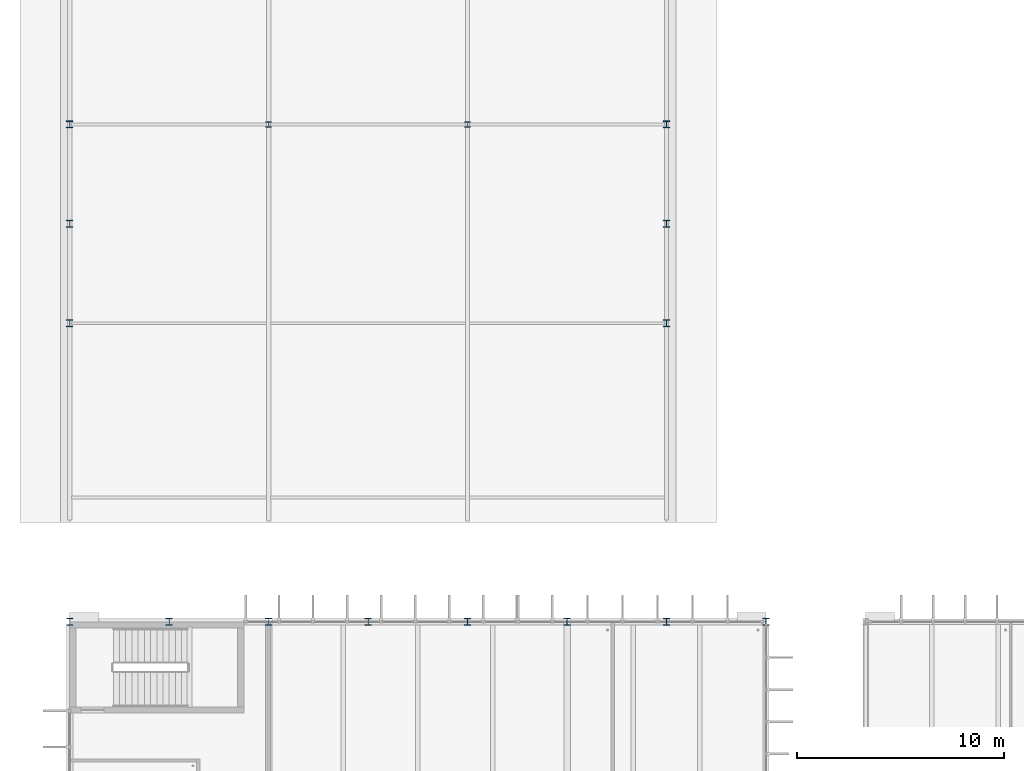
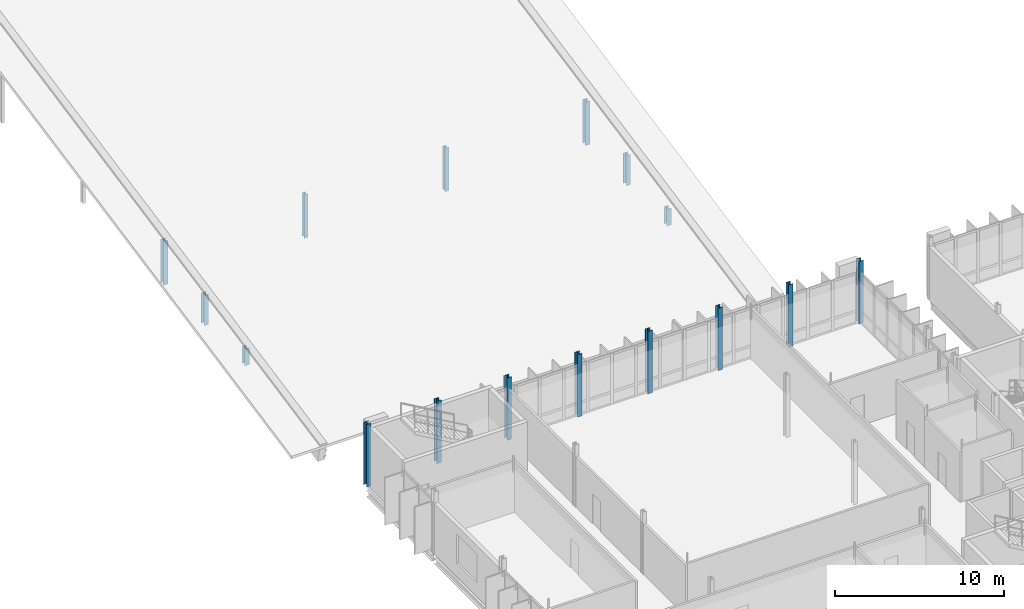
# One storey, part 3 of 59: 16 columns.
"""IFC4 building model written with IfcOpenShell, lengths in metres."""

from ifc_helpers import new_model, si_unit, direction, frame, origin, origin_2d, place, context, subcontext, project, spatial, i_section, extrude, material, material_profile, profile_set, type_object, element, save


model = new_model("IFC4")

# Units and contexts
model_context = context("Model", 3, precision=1e-05, world=origin(), true_north=direction((0.0, 1.0)))
body_context = subcontext(model_context, "Body", "Model", "MODEL_VIEW")
ifc_project = project(units=[si_unit("LENGTHUNIT", "METRE"), si_unit("AREAUNIT", "SQUARE_METRE"), si_unit("VOLUMEUNIT", "CUBIC_METRE"), si_unit("PLANEANGLEUNIT", "RADIAN"), si_unit("MASSUNIT", "GRAM", prefix="KILO")], contexts=[model_context])

# Site, building, storey
site_placement = place(None, origin())
site = spatial("IfcSite", under=ifc_project, at=site_placement, CompositionType="ELEMENT")
building_placement = place(site_placement, origin())
building = spatial("IfcBuilding", under=site, at=building_placement, Name="Dunescarp Central Library", CompositionType="ELEMENT")
storey_placement = place(building_placement, frame((0.0, 0.0, 18.60009765625)))
storey = spatial("IfcBuildingStorey", under=building, at=storey_placement, Name="L04", CompositionType="ELEMENT", Elevation=18.60009765625)

# Columns
ifc_material = material(Name="Steel S355JR", Category="steel")
ifc_material_profile_1 = material_profile(ifc_material, i_section(OverallWidth=0.26123046875, OverallDepth=0.2763671875, WebThickness=0.015380859375, FlangeThickness=0.025390625, at=origin_2d()), Name="UC 254x254x132")
ifc_profile_set_1 = profile_set([ifc_material_profile_1], Name="Steel S355JR")
column_type_1 = type_object("IfcColumnType", Name="STR-COL-UC254X132", PredefinedType="COLUMN", material=ifc_profile_set_1)
for number, where, z_axis, x_axis, name in (
    (1, (9.60009765625, 60.800048828125, 0.0), (0.0, 0.0, 1.0), (1.0, 0.0, 0.0), "L04 column V4B-96-608"),
    (2, (19.199951171875, 60.800048828125, 0.0), (0.0, 0.0, 1.0), (1.0, 0.0, 0.0), "L04 column V4B-192-608"),
):
    element("IfcColumn", number, at=place(storey_placement, frame(where, z_axis=z_axis, x_axis=x_axis)), inside=storey, type_object=column_type_1, Name=name, PredefinedType="COLUMN", context=body_context, shape_type="SweptSolid", body=[
        extrude(i_section(OverallWidth=0.26123046875, OverallDepth=0.2763671875, WebThickness=0.015380859375, FlangeThickness=0.025390625, at=origin_2d()), origin(), (0.0, 0.0, 1.0), 3.135986328125),
    ])
ifc_material_profile_2 = material_profile(ifc_material, i_section(OverallWidth=0.311279296875, OverallDepth=0.3271484375, WebThickness=0.015869140625, FlangeThickness=0.02490234375, at=origin_2d()), Name="UC 305x305x158")
ifc_profile_set_2 = profile_set([ifc_material_profile_2], Name="Steel S355JR")
column_type_2 = type_object("IfcColumnType", Name="STR-COL-UC305X158", PredefinedType="COLUMN", material=ifc_profile_set_2)
for number, where, z_axis, x_axis, name in (
    (3, (0.0, 36.800048828125, 0.0), (0.0, 0.0, 1.0), (1.0, 0.0, 0.0), "L04 column V1P-0-368"),
    (4, (4.800048828125, 36.800048828125, 0.0), (0.0, 0.0, 1.0), (1.0, 0.0, 0.0), "L04 column V1P-48-368"),
    (5, (9.60009765625, 36.800048828125, 0.0), (0.0, 0.0, 1.0), (1.0, 0.0, 0.0), "L04 column V1P-96-368"),
    (6, (14.39990234375, 36.800048828125, 0.0), (0.0, 0.0, 1.0), (1.0, 0.0, 0.0), "L04 column V1P-144-368"),
    (7, (19.199951171875, 36.800048828125, 0.0), (0.0, 0.0, 1.0), (1.0, 0.0, 0.0), "L04 column V1P-192-368"),
    (8, (24.0, 36.800048828125, 0.0), (0.0, 0.0, 1.0), (1.0, 0.0, 0.0), "L04 column V1P-240-368"),
    (9, (28.800048828125, 36.800048828125, 0.0), (0.0, 0.0, 1.0), (1.0, 0.0, 0.0), "L04 column V1P-288-368"),
    (10, (33.60009765625, 36.800048828125, 0.0), (0.0, 0.0, 1.0), (1.0, 0.0, 0.0), "L04 column V1P-336-368"),
):
    element("IfcColumn", number, at=place(storey_placement, frame(where, z_axis=z_axis, x_axis=x_axis)), inside=storey, type_object=column_type_2, Name=name, PredefinedType="COLUMN", context=body_context, shape_type="SweptSolid", body=[
        extrude(i_section(OverallWidth=0.311279296875, OverallDepth=0.3271484375, WebThickness=0.015869140625, FlangeThickness=0.02490234375, at=origin_2d()), origin(), (0.0, 0.0, 1.0), 4.5),
    ])
ifc_material_profile_3 = material_profile(ifc_material, i_section(OverallWidth=0.314453125, OverallDepth=0.33984375, WebThickness=0.01904296875, FlangeThickness=0.031494140625, at=origin_2d()), Name="UC 305x305x198")
ifc_profile_set_3 = profile_set([ifc_material_profile_3], Name="Steel S355JR")
column_type_3 = type_object("IfcColumnType", Name="STR-COL-UC305X198", PredefinedType="COLUMN", material=ifc_profile_set_3)
column_1_placement = place(storey_placement, frame((0.0, 51.199951171875, 0.0), z_axis=(0.0, 0.0, 1.0), x_axis=(1.0, 0.0, 0.0)))
element("IfcColumn", 11, at=column_1_placement, inside=storey, type_object=column_type_3, Name="L04 column V4A-0-512", PredefinedType="COLUMN", context=body_context, shape_type="SweptSolid", body=[
    extrude(i_section(OverallWidth=0.314453125, OverallDepth=0.33984375, WebThickness=0.01904296875, FlangeThickness=0.031494140625, at=origin_2d()), origin(), (0.0, 0.0, 1.0), 1.2158203125),
])
column_2_placement = place(storey_placement, frame((0.0, 56.0, 0.0), z_axis=(0.0, 0.0, 1.0), x_axis=(1.0, 0.0, 0.0)))
element("IfcColumn", 12, at=column_2_placement, inside=storey, type_object=column_type_3, Name="L04 column V4A-0-560", PredefinedType="COLUMN", context=body_context, shape_type="SweptSolid", body=[
    extrude(i_section(OverallWidth=0.314453125, OverallDepth=0.33984375, WebThickness=0.01904296875, FlangeThickness=0.031494140625, at=origin_2d()), origin(), (0.0, 0.0, 1.0), 2.17578125),
])
column_3_placement = place(storey_placement, frame((0.0, 60.800048828125, 0.0), z_axis=(0.0, 0.0, 1.0), x_axis=(1.0, 0.0, 0.0)))
element("IfcColumn", 13, at=column_3_placement, inside=storey, type_object=column_type_3, Name="L04 column V4A-0-608", PredefinedType="COLUMN", context=body_context, shape_type="SweptSolid", body=[
    extrude(i_section(OverallWidth=0.314453125, OverallDepth=0.33984375, WebThickness=0.01904296875, FlangeThickness=0.031494140625, at=origin_2d()), origin(), (0.0, 0.0, 1.0), 3.135986328125),
])
column_4_placement = place(storey_placement, frame((28.800048828125, 51.199951171875, 0.0), z_axis=(0.0, 0.0, 1.0), x_axis=(1.0, 0.0, 0.0)))
element("IfcColumn", 14, at=column_4_placement, inside=storey, type_object=column_type_3, Name="L04 column V4A-288-512", PredefinedType="COLUMN", context=body_context, shape_type="SweptSolid", body=[
    extrude(i_section(OverallWidth=0.314453125, OverallDepth=0.33984375, WebThickness=0.01904296875, FlangeThickness=0.031494140625, at=origin_2d()), origin(), (0.0, 0.0, 1.0), 1.2158203125),
])
column_5_placement = place(storey_placement, frame((28.800048828125, 56.0, 0.0), z_axis=(0.0, 0.0, 1.0), x_axis=(1.0, 0.0, 0.0)))
element("IfcColumn", 15, at=column_5_placement, inside=storey, type_object=column_type_3, Name="L04 column V4A-288-560", PredefinedType="COLUMN", context=body_context, shape_type="SweptSolid", body=[
    extrude(i_section(OverallWidth=0.314453125, OverallDepth=0.33984375, WebThickness=0.01904296875, FlangeThickness=0.031494140625, at=origin_2d()), origin(), (0.0, 0.0, 1.0), 2.17578125),
])
column_6_placement = place(storey_placement, frame((28.800048828125, 60.800048828125, 0.0), z_axis=(0.0, 0.0, 1.0), x_axis=(1.0, 0.0, 0.0)))
element("IfcColumn", 16, at=column_6_placement, inside=storey, type_object=column_type_3, Name="L04 column V4A-288-608", PredefinedType="COLUMN", context=body_context, shape_type="SweptSolid", body=[
    extrude(i_section(OverallWidth=0.314453125, OverallDepth=0.33984375, WebThickness=0.01904296875, FlangeThickness=0.031494140625, at=origin_2d()), origin(), (0.0, 0.0, 1.0), 3.135986328125),
])

save(model, "model.ifc")
